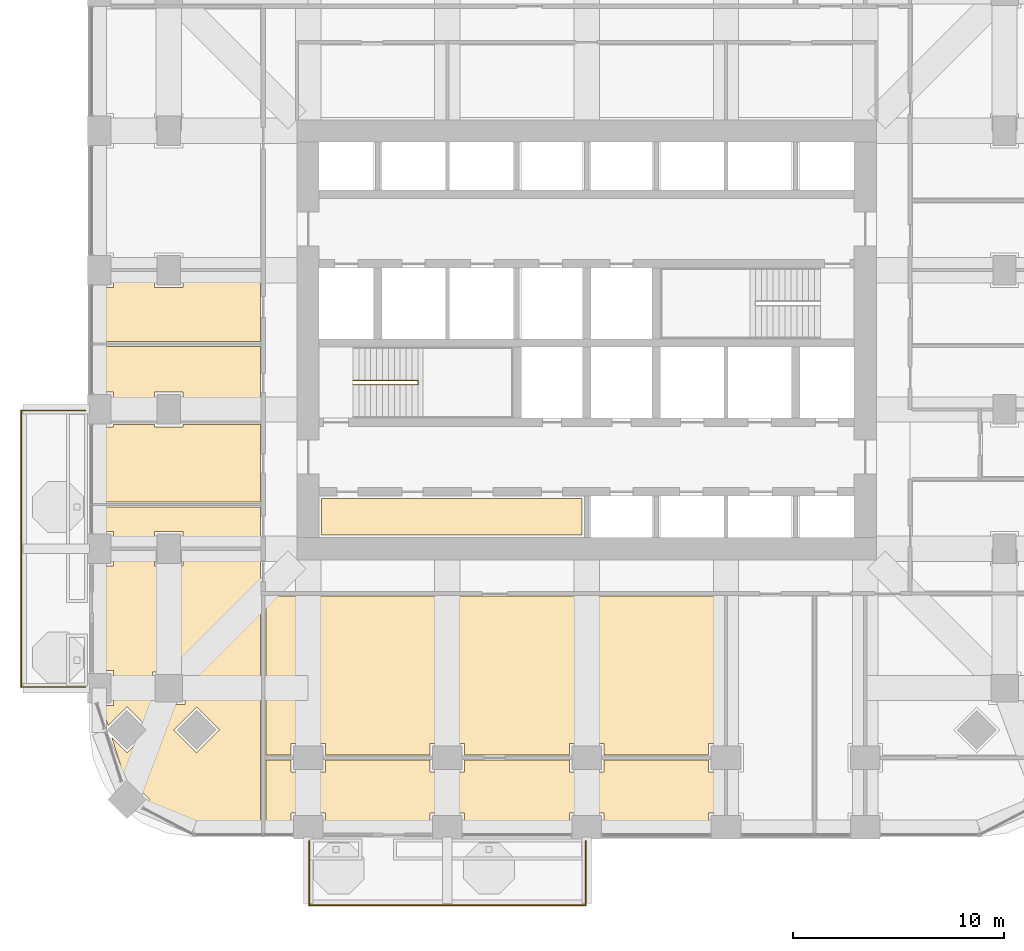
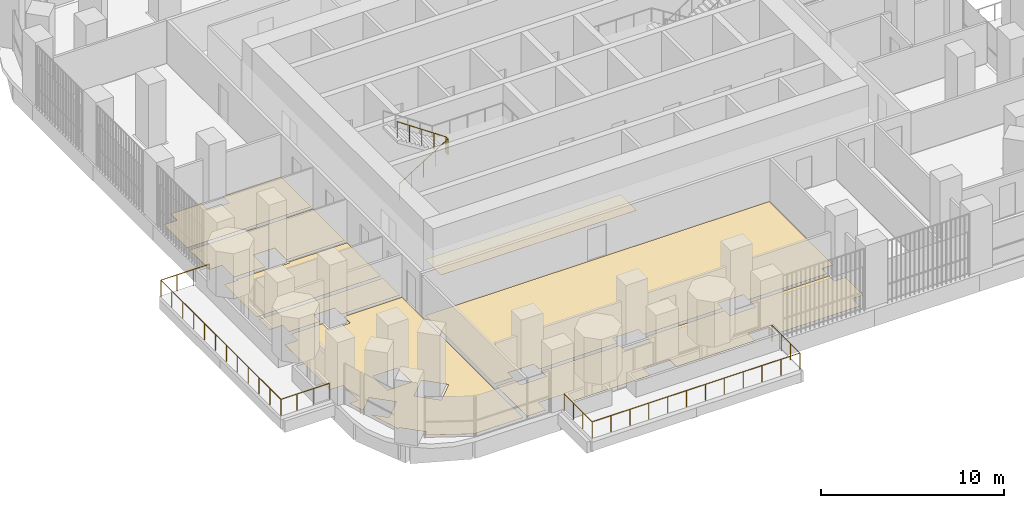
# One storey, part 17 of 21: 8 coverings, 3 railings.
"""IFC4 building model written with IfcOpenShell, lengths in metres."""

import ifcopenshell
import ifcopenshell.guid

model = None  # the IFC model being written
_history = None  # IfcOwnerHistory: only IFC2X3 demands one
_inside = {}  # id of a spatial element -> (the spatial element, [elements in it])
_under = {}  # id of a project, library or spatial element -> (it, [spatial elements below it])
_declared = {}  # id of a project -> (the project, [libraries it declares])
_typed = {}  # id of a type object -> (the type object, [elements of that type])
_made_of = {}  # id of a material, layer set ... -> (it, [elements and type objects made of it])


def new_model(schema):
    """Start an empty IFC model of exactly this schema.

    Asked for "IFC4X3", IfcOpenShell would pick the latest addendum, in which some entities
    have other attributes; the version numbers below select the first issue.
    IFC2X3 requires an IfcOwnerHistory on every rooted entity: one is made here for all.
    """
    global model, _history
    if schema == "IFC4X3":
        model = ifcopenshell.file(schema_version=(4, 3, 0, 0))
    else:
        model = ifcopenshell.file(schema=schema)
    _inside.clear()
    _under.clear()
    _declared.clear()
    _typed.clear()
    _made_of.clear()
    _history = None
    if model.schema == "IFC2X3":
        org = make("IfcOrganization", Name="unknown")
        user = make(
            "IfcPersonAndOrganization",
            ThePerson=make("IfcPerson", FamilyName="unknown"),
            TheOrganization=org,
        )
        app = make(
            "IfcApplication",
            ApplicationDeveloper=org,
            Version="unknown",
            ApplicationFullName="unknown",
            ApplicationIdentifier="unknown",
        )
        _history = make(
            "IfcOwnerHistory",
            OwningUser=user,
            OwningApplication=app,
            ChangeAction="ADDED",
            CreationDate=0,
        )
    return model


def make(cls, **values):
    """One entity of the class cls with the attributes given. An attribute that is None is left unset."""
    return model.create_entity(
        cls, **{name: value for name, value in values.items() if value is not None}
    )


def rooted(cls, **values):
    """An entity with a GlobalId (a new one), such as an element, a storey or a relation."""
    return make(cls, GlobalId=ifcopenshell.guid.new(), OwnerHistory=_history, **values)


def si_unit(unit_type, name, prefix=None):
    """IfcSIUnit, for example si_unit("LENGTHUNIT", "METRE", prefix="MILLI")."""
    return make("IfcSIUnit", UnitType=unit_type, Prefix=prefix, Name=name)


def assignment(units):
    """IfcUnitAssignment: the units of a project."""
    return None if units is None else make("IfcUnitAssignment", Units=units)


def point(xyz):
    """IfcCartesianPoint."""
    return None if xyz is None else make("IfcCartesianPoint", Coordinates=xyz)


def direction(xyz):
    """IfcDirection."""
    return None if xyz is None else make("IfcDirection", DirectionRatios=xyz)


def frame(location, z_axis=None, x_axis=None):
    """IfcAxis2Placement3D, a coordinate frame: its origin and axes. An axis left out is left unset."""
    return make(
        "IfcAxis2Placement3D",
        Location=point(location),
        Axis=direction(z_axis),
        RefDirection=direction(x_axis),
    )


def origin():
    """The frame at (0, 0, 0) with its axes left unset."""
    return frame((0.0, 0.0, 0.0))


def place(relative_to, where):
    """IfcLocalPlacement: puts the frame where relative to a parent placement (None: the world)."""
    return make(
        "IfcLocalPlacement", PlacementRelTo=relative_to, RelativePlacement=where
    )


def context(
    kind, dimensions, precision=None, world=None, true_north=None, identifier=None
):
    """IfcGeometricRepresentationContext, for example the 3D "Model" context."""
    return make(
        "IfcGeometricRepresentationContext",
        ContextIdentifier=identifier,
        ContextType=kind,
        CoordinateSpaceDimension=dimensions,
        Precision=precision,
        WorldCoordinateSystem=world,
        TrueNorth=true_north,
    )


def subcontext(parent, identifier, kind, view, scale=None):
    """IfcGeometricRepresentationSubContext, for example "Body" below "Model"."""
    return make(
        "IfcGeometricRepresentationSubContext",
        ContextIdentifier=identifier,
        ContextType=kind,
        ParentContext=parent,
        TargetScale=scale,
        TargetView=view,
    )


def project(units=None, contexts=None):
    """IfcProject with its units and contexts."""
    return rooted(
        "IfcProject",
        Name="project",
        RepresentationContexts=contexts,
        UnitsInContext=assignment(units),
    )


def spatial(cls, under=None, at=None, **own):
    """A site, building, storey or space (cls), placed at a placement, below another one or the project."""
    s = rooted(cls, ObjectPlacement=at, **own)
    if under is not None:
        _under.setdefault(under.id(), (under, []))[1].append(s)
    return s


def polyline(points):
    """IfcPolyline through the points."""
    return make("IfcPolyline", Points=[point(p) for p in points])


def outline(outer, holes=None, kind="AREA"):
    """IfcArbitraryClosedProfileDef: a profile drawn as a closed curve; with holes, ...WithVoids."""
    if holes is None:
        return make("IfcArbitraryClosedProfileDef", ProfileType=kind, OuterCurve=outer)
    return make(
        "IfcArbitraryProfileDefWithVoids",
        ProfileType=kind,
        OuterCurve=outer,
        InnerCurves=holes,
    )


def extrude(swept, where, along, depth):
    """IfcExtrudedAreaSolid: the profile swept, set in the frame where, extruded along a direction by depth."""
    return make(
        "IfcExtrudedAreaSolid",
        SweptArea=swept,
        Position=where,
        ExtrudedDirection=direction(along),
        Depth=depth,
    )


def shape(context_of_items, identifier, shape_type, items):
    """IfcShapeRepresentation: the items that make up one representation, for example the "Body"."""
    return make(
        "IfcShapeRepresentation",
        ContextOfItems=context_of_items,
        RepresentationIdentifier=identifier,
        RepresentationType=shape_type,
        Items=items,
    )


def material(Name=None, Category=None):
    """IfcMaterial."""
    return make("IfcMaterial", Name=Name, Category=Category)


def layer(
    of_material, thickness, ventilated=None, Name=None, Category=None, Priority=None
):
    """IfcMaterialLayer: one layer of a wall or slab, of a material (None: an air gap)."""
    return make(
        "IfcMaterialLayer",
        Material=of_material,
        LayerThickness=thickness,
        IsVentilated=ventilated,
        Name=Name,
        Category=Category,
        Priority=Priority,
    )


def layer_set(layers, Name=None):
    """IfcMaterialLayerSet."""
    return make("IfcMaterialLayerSet", MaterialLayers=layers, LayerSetName=Name)


def made_of(thing, what):
    """Note that an element or type object is made of a material, layer set ...; save() writes the relation."""
    if what is not None:
        _made_of.setdefault(what.id(), (what, []))[1].append(thing)
    return thing


def type_object(cls, material=None, **own):
    """A type object (cls), such as IfcWallType, which elements share."""
    return made_of(rooted(cls, **own), material)


def element(
    cls,
    number,
    at=None,
    inside=None,
    cuts=None,
    type_object=None,
    material=None,
    context=None,
    identifier="Body",
    shape_type=None,
    held_by="IfcProductDefinitionShape",
    body=None,
    shapes=None,
    **own,
):
    """One element of the class cls, such as IfcWall. Its Tag is "e" and its number.

    at: its placement. inside: the storey or other place that contains it. cuts: it is an
    opening in that element (IfcRelVoidsElement). A single representation is given by context,
    identifier, shape_type and body (its items); several are given by shapes. held_by: the class
    of the entity that holds the representations. save() writes the other relations.
    """
    e = rooted(cls, Tag="e%d" % number, ObjectPlacement=at, **own)
    if body is not None:
        shapes = [shape(context, identifier, shape_type, body)]
    if shapes is not None:
        e.Representation = make(held_by, Representations=shapes)
    if inside is not None:
        _inside.setdefault(inside.id(), (inside, []))[1].append(e)
    if cuts is not None:
        rooted(
            "IfcRelVoidsElement", RelatingBuildingElement=cuts, RelatedOpeningElement=e
        )
    if type_object is not None:
        _typed.setdefault(type_object.id(), (type_object, []))[1].append(e)
    return made_of(e, material)


def aggregate(whole, parts):
    """IfcRelAggregates: a whole, such as a stair, and the parts it consists of."""
    return rooted("IfcRelAggregates", RelatingObject=whole, RelatedObjects=parts)


def save(model, path):
    """Write the relations noted so far, then the file.

    IfcRelAggregates (storeys below a building ...), IfcRelContainedInSpatialStructure (elements
    in a storey), IfcRelDefinesByType, IfcRelAssociatesMaterial and IfcRelDeclares: one each for
    every whole, place, type object, material and project.
    """
    for whole, parts in _under.values():
        aggregate(whole, parts)
    for where, things in _inside.values():
        rooted(
            "IfcRelContainedInSpatialStructure",
            RelatedElements=things,
            RelatingStructure=where,
        )
    for kind, things in _typed.values():
        rooted("IfcRelDefinesByType", RelatedObjects=things, RelatingType=kind)
    for what, things in _made_of.values():
        rooted("IfcRelAssociatesMaterial", RelatedObjects=things, RelatingMaterial=what)
    for by, libraries in _declared.values():
        rooted("IfcRelDeclares", RelatingContext=by, RelatedDefinitions=libraries)
    model.write(path)


model = new_model("IFC4")

# Units and contexts
model_context = context("Model", 3, precision=1e-05, world=origin(), true_north=direction((0.0, 1.0)))
body_context = subcontext(model_context, "Body", "Model", "MODEL_VIEW")
ifc_project = project(units=[si_unit("LENGTHUNIT", "METRE"), si_unit("AREAUNIT", "SQUARE_METRE"), si_unit("VOLUMEUNIT", "CUBIC_METRE"), si_unit("PLANEANGLEUNIT", "RADIAN"), si_unit("MASSUNIT", "GRAM", prefix="KILO")], contexts=[model_context])

# Site, building, storey
site_placement = place(None, origin())
site = spatial("IfcSite", under=ifc_project, at=site_placement, CompositionType="ELEMENT")
building_placement = place(site_placement, origin())
building = spatial("IfcBuilding", under=site, at=building_placement, Name="Cobogo Forest Laboratory Tower", CompositionType="ELEMENT")
storey_placement = place(building_placement, frame((0.0, 0.0, 124.199951171875)))
storey = spatial("IfcBuildingStorey", under=building, at=storey_placement, Name="L28", CompositionType="ELEMENT", Elevation=124.199951171875)

# Railings
ifc_material_1 = material(Name="Laminated glass balustrade", Category="glass")
railing_type_1 = type_object("IfcRailingType", Name="BG1 glass balustrade 1100", PredefinedType="GUARDRAIL", material=ifc_material_1)
railing_1_placement = place(storey_placement, frame((13.25, -0.64990234375, 0.0)))
element("IfcRailing", 1, at=railing_1_placement, inside=storey, type_object=railing_type_1, Name="Balcony balustrade BAL-S1 L28", PredefinedType="GUARDRAIL", context=body_context, shape_type="SweptSolid", body=[
    extrude(outline(polyline([(0.022216796875, 0.00927734375), (0.00927734375, 0.022216796875), (-0.00927734375, 0.022216796875), (-0.022216796875, 0.00927734375), (-0.022216796875, -0.00927734375), (-0.00927734375, -0.022216796875), (0.00927734375, -0.022216796875), (0.022216796875, -0.00927734375), (0.022216796875, 0.00927734375)])), frame((0.0, 0.0, 1.077880859375), z_axis=(0.0, -1.0, 0.0), x_axis=(1.0, 0.0, 0.0)), (0.0, 0.0, 1.0), 3.050048828125),
    extrude(outline(polyline([(0.022216796875, 0.00927734375), (0.00927734375, 0.022216796875), (-0.00927734375, 0.022216796875), (-0.022216796875, 0.00927734375), (-0.022216796875, -0.00927734375), (-0.00927734375, -0.022216796875), (0.00927734375, -0.022216796875), (0.022216796875, -0.00927734375), (0.022216796875, 0.00927734375)])), frame((0.0, -3.050048828125, 1.077880859375), z_axis=(1.0, 0.0, 0.0), x_axis=(0.0, 1.0, 0.0)), (0.0, 0.0, 1.0), 13.10009765625),
    extrude(outline(polyline([(0.022216796875, 0.00927734375), (0.00927734375, 0.022216796875), (-0.00927734375, 0.022216796875), (-0.022216796875, 0.00927734375), (-0.022216796875, -0.00927734375), (-0.00927734375, -0.022216796875), (0.00927734375, -0.022216796875), (0.022216796875, -0.00927734375), (0.022216796875, 0.00927734375)])), frame((13.10009765625, -3.050048828125, 1.077880859375), z_axis=(0.0, 1.0, 0.0), x_axis=(-1.0, 0.0, 0.0)), (0.0, 0.0, 1.0), 3.050048828125),
    extrude(outline(polyline([(0.019287109375, 0.008056640625), (0.008056640625, 0.019287109375), (-0.008056640625, 0.019287109375), (-0.019287109375, 0.008056640625), (-0.019287109375, -0.008056640625), (-0.008056640625, -0.019287109375), (0.008056640625, -0.019287109375), (0.019287109375, -0.008056640625), (0.019287109375, 0.008056640625)])), origin(), (0.0, 0.0, 1.0), 1.077880859375),
    extrude(outline(polyline([(0.019287109375, 0.008056640625), (0.008056640625, 0.019287109375), (-0.008056640625, 0.019287109375), (-0.019287109375, 0.008056640625), (-0.019287109375, -0.008056640625), (-0.008056640625, -0.019287109375), (0.008056640625, -0.019287109375), (0.019287109375, -0.008056640625), (0.019287109375, 0.008056640625)])), frame((0.0, -1.0166015625, 0.0)), (0.0, 0.0, 1.0), 1.077880859375),
    extrude(outline(polyline([(0.019287109375, 0.008056640625), (0.008056640625, 0.019287109375), (-0.008056640625, 0.019287109375), (-0.019287109375, 0.008056640625), (-0.019287109375, -0.008056640625), (-0.008056640625, -0.019287109375), (0.008056640625, -0.019287109375), (0.019287109375, -0.008056640625), (0.019287109375, 0.008056640625)])), frame((0.0, -2.033447265625, 0.0)), (0.0, 0.0, 1.0), 1.077880859375),
    extrude(outline(polyline([(0.019287109375, 0.008056640625), (0.008056640625, 0.019287109375), (-0.008056640625, 0.019287109375), (-0.019287109375, 0.008056640625), (-0.019287109375, -0.008056640625), (-0.008056640625, -0.019287109375), (0.008056640625, -0.019287109375), (0.019287109375, -0.008056640625), (0.019287109375, 0.008056640625)])), frame((0.0, -3.050048828125, 0.0)), (0.0, 0.0, 1.0), 1.077880859375),
    extrude(outline(polyline([(0.019287109375, 0.008056640625), (0.008056640625, 0.019287109375), (-0.008056640625, 0.019287109375), (-0.019287109375, 0.008056640625), (-0.019287109375, -0.008056640625), (-0.008056640625, -0.019287109375), (0.008056640625, -0.019287109375), (0.019287109375, -0.008056640625), (0.019287109375, 0.008056640625)])), frame((1.19091796875, -3.050048828125, 0.0)), (0.0, 0.0, 1.0), 1.077880859375),
    extrude(outline(polyline([(0.019287109375, 0.008056640625), (0.008056640625, 0.019287109375), (-0.008056640625, 0.019287109375), (-0.019287109375, 0.008056640625), (-0.019287109375, -0.008056640625), (-0.008056640625, -0.019287109375), (0.008056640625, -0.019287109375), (0.019287109375, -0.008056640625), (0.019287109375, 0.008056640625)])), frame((2.3818359375, -3.050048828125, 0.0)), (0.0, 0.0, 1.0), 1.077880859375),
    extrude(outline(polyline([(0.019287109375, 0.008056640625), (0.008056640625, 0.019287109375), (-0.008056640625, 0.019287109375), (-0.019287109375, 0.008056640625), (-0.019287109375, -0.008056640625), (-0.008056640625, -0.019287109375), (0.008056640625, -0.019287109375), (0.019287109375, -0.008056640625), (0.019287109375, 0.008056640625)])), frame((3.57275390625, -3.050048828125, 0.0)), (0.0, 0.0, 1.0), 1.077880859375),
    extrude(outline(polyline([(0.019287109375, 0.008056640625), (0.008056640625, 0.019287109375), (-0.008056640625, 0.019287109375), (-0.019287109375, 0.008056640625), (-0.019287109375, -0.008056640625), (-0.008056640625, -0.019287109375), (0.008056640625, -0.019287109375), (0.019287109375, -0.008056640625), (0.019287109375, 0.008056640625)])), frame((4.763671875, -3.050048828125, 0.0)), (0.0, 0.0, 1.0), 1.077880859375),
    extrude(outline(polyline([(0.019287109375, 0.008056640625), (0.008056640625, 0.019287109375), (-0.008056640625, 0.019287109375), (-0.019287109375, 0.008056640625), (-0.019287109375, -0.008056640625), (-0.008056640625, -0.019287109375), (0.008056640625, -0.019287109375), (0.019287109375, -0.008056640625), (0.019287109375, 0.008056640625)])), frame((5.95458984375, -3.050048828125, 0.0)), (0.0, 0.0, 1.0), 1.077880859375),
    extrude(outline(polyline([(0.019287109375, 0.008056640625), (0.008056640625, 0.019287109375), (-0.008056640625, 0.019287109375), (-0.019287109375, 0.008056640625), (-0.019287109375, -0.008056640625), (-0.008056640625, -0.019287109375), (0.008056640625, -0.019287109375), (0.019287109375, -0.008056640625), (0.019287109375, 0.008056640625)])), frame((7.1455078125, -3.050048828125, 0.0)), (0.0, 0.0, 1.0), 1.077880859375),
    extrude(outline(polyline([(0.019287109375, 0.008056640625), (0.008056640625, 0.019287109375), (-0.008056640625, 0.019287109375), (-0.019287109375, 0.008056640625), (-0.019287109375, -0.008056640625), (-0.008056640625, -0.019287109375), (0.008056640625, -0.019287109375), (0.019287109375, -0.008056640625), (0.019287109375, 0.008056640625)])), frame((8.33642578125, -3.050048828125, 0.0)), (0.0, 0.0, 1.0), 1.077880859375),
    extrude(outline(polyline([(0.019287109375, 0.008056640625), (0.008056640625, 0.019287109375), (-0.008056640625, 0.019287109375), (-0.019287109375, 0.008056640625), (-0.019287109375, -0.008056640625), (-0.008056640625, -0.019287109375), (0.008056640625, -0.019287109375), (0.019287109375, -0.008056640625), (0.019287109375, 0.008056640625)])), frame((9.52734375, -3.050048828125, 0.0)), (0.0, 0.0, 1.0), 1.077880859375),
    extrude(outline(polyline([(0.019287109375, 0.008056640625), (0.008056640625, 0.019287109375), (-0.008056640625, 0.019287109375), (-0.019287109375, 0.008056640625), (-0.019287109375, -0.008056640625), (-0.008056640625, -0.019287109375), (0.008056640625, -0.019287109375), (0.019287109375, -0.008056640625), (0.019287109375, 0.008056640625)])), frame((10.71826171875, -3.050048828125, 0.0)), (0.0, 0.0, 1.0), 1.077880859375),
    extrude(outline(polyline([(0.019287109375, 0.008056640625), (0.008056640625, 0.019287109375), (-0.008056640625, 0.019287109375), (-0.019287109375, 0.008056640625), (-0.019287109375, -0.008056640625), (-0.008056640625, -0.019287109375), (0.008056640625, -0.019287109375), (0.019287109375, -0.008056640625), (0.019287109375, 0.008056640625)])), frame((11.9091796875, -3.050048828125, 0.0)), (0.0, 0.0, 1.0), 1.077880859375),
    extrude(outline(polyline([(0.019287109375, 0.008056640625), (0.008056640625, 0.019287109375), (-0.008056640625, 0.019287109375), (-0.019287109375, 0.008056640625), (-0.019287109375, -0.008056640625), (-0.008056640625, -0.019287109375), (0.008056640625, -0.019287109375), (0.019287109375, -0.008056640625), (0.019287109375, 0.008056640625)])), frame((13.10009765625, -3.050048828125, 0.0)), (0.0, 0.0, 1.0), 1.077880859375),
    extrude(outline(polyline([(0.019287109375, 0.008056640625), (0.008056640625, 0.019287109375), (-0.008056640625, 0.019287109375), (-0.019287109375, 0.008056640625), (-0.019287109375, -0.008056640625), (-0.008056640625, -0.019287109375), (0.008056640625, -0.019287109375), (0.019287109375, -0.008056640625), (0.019287109375, 0.008056640625)])), frame((13.10009765625, -2.033447265625, 0.0)), (0.0, 0.0, 1.0), 1.077880859375),
    extrude(outline(polyline([(0.019287109375, 0.008056640625), (0.008056640625, 0.019287109375), (-0.008056640625, 0.019287109375), (-0.019287109375, 0.008056640625), (-0.019287109375, -0.008056640625), (-0.008056640625, -0.019287109375), (0.008056640625, -0.019287109375), (0.019287109375, -0.008056640625), (0.019287109375, 0.008056640625)])), frame((13.10009765625, -1.0166015625, 0.0)), (0.0, 0.0, 1.0), 1.077880859375),
    extrude(outline(polyline([(0.019287109375, 0.008056640625), (0.008056640625, 0.019287109375), (-0.008056640625, 0.019287109375), (-0.019287109375, 0.008056640625), (-0.019287109375, -0.008056640625), (-0.008056640625, -0.019287109375), (0.008056640625, -0.019287109375), (0.019287109375, -0.008056640625), (0.019287109375, 0.008056640625)])), frame((13.10009765625, 0.0, 0.0)), (0.0, 0.0, 1.0), 1.077880859375),
])
railing_2_placement = place(storey_placement, frame((2.64990234375, 6.64990234375, 0.0)))
element("IfcRailing", 2, at=railing_2_placement, inside=storey, type_object=railing_type_1, Name="Balcony balustrade BAL-W1 L28", PredefinedType="GUARDRAIL", context=body_context, shape_type="SweptSolid", body=[
    extrude(outline(polyline([(0.022216796875, 0.00927734375), (0.00927734375, 0.022216796875), (-0.00927734375, 0.022216796875), (-0.022216796875, 0.00927734375), (-0.022216796875, -0.00927734375), (-0.00927734375, -0.022216796875), (0.00927734375, -0.022216796875), (0.022216796875, -0.00927734375), (0.022216796875, 0.00927734375)])), frame((0.0, 0.0, 1.077880859375), z_axis=(-1.0, 0.0, 0.0), x_axis=(0.0, -1.0, 0.0)), (0.0, 0.0, 1.0), 3.0498046875),
    extrude(outline(polyline([(0.022216796875, 0.00927734375), (0.00927734375, 0.022216796875), (-0.00927734375, 0.022216796875), (-0.022216796875, 0.00927734375), (-0.022216796875, -0.00927734375), (-0.00927734375, -0.022216796875), (0.00927734375, -0.022216796875), (0.022216796875, -0.00927734375), (0.022216796875, 0.00927734375)])), frame((-3.0498046875, 0.0, 1.077880859375), z_axis=(0.0, 1.0, 0.0), x_axis=(-1.0, 0.0, 0.0)), (0.0, 0.0, 1.0), 13.10009765625),
    extrude(outline(polyline([(0.022216796875, 0.00927734375), (0.00927734375, 0.022216796875), (-0.00927734375, 0.022216796875), (-0.022216796875, 0.00927734375), (-0.022216796875, -0.00927734375), (-0.00927734375, -0.022216796875), (0.00927734375, -0.022216796875), (0.022216796875, -0.00927734375), (0.022216796875, 0.00927734375)])), frame((-3.0498046875, 13.10009765625, 1.077880859375), z_axis=(1.0, 0.0, 0.0), x_axis=(0.0, 1.0, 0.0)), (0.0, 0.0, 1.0), 3.0498046875),
    extrude(outline(polyline([(0.019287109375, 0.008056640625), (0.008056640625, 0.019287109375), (-0.008056640625, 0.019287109375), (-0.019287109375, 0.008056640625), (-0.019287109375, -0.008056640625), (-0.008056640625, -0.019287109375), (0.008056640625, -0.019287109375), (0.019287109375, -0.008056640625), (0.019287109375, 0.008056640625)])), origin(), (0.0, 0.0, 1.0), 1.077880859375),
    extrude(outline(polyline([(0.019287109375, 0.008056640625), (0.008056640625, 0.019287109375), (-0.008056640625, 0.019287109375), (-0.019287109375, 0.008056640625), (-0.019287109375, -0.008056640625), (-0.008056640625, -0.019287109375), (0.008056640625, -0.019287109375), (0.019287109375, -0.008056640625), (0.019287109375, 0.008056640625)])), frame((-1.0166015625, 0.0, 0.0)), (0.0, 0.0, 1.0), 1.077880859375),
    extrude(outline(polyline([(0.019287109375, 0.008056640625), (0.008056640625, 0.019287109375), (-0.008056640625, 0.019287109375), (-0.019287109375, 0.008056640625), (-0.019287109375, -0.008056640625), (-0.008056640625, -0.019287109375), (0.008056640625, -0.019287109375), (0.019287109375, -0.008056640625), (0.019287109375, 0.008056640625)])), frame((-2.033203125, 0.0, 0.0)), (0.0, 0.0, 1.0), 1.077880859375),
    extrude(outline(polyline([(0.019287109375, 0.008056640625), (0.008056640625, 0.019287109375), (-0.008056640625, 0.019287109375), (-0.019287109375, 0.008056640625), (-0.019287109375, -0.008056640625), (-0.008056640625, -0.019287109375), (0.008056640625, -0.019287109375), (0.019287109375, -0.008056640625), (0.019287109375, 0.008056640625)])), frame((-3.0498046875, 0.0, 0.0)), (0.0, 0.0, 1.0), 1.077880859375),
    extrude(outline(polyline([(0.019287109375, 0.008056640625), (0.008056640625, 0.019287109375), (-0.008056640625, 0.019287109375), (-0.019287109375, 0.008056640625), (-0.019287109375, -0.008056640625), (-0.008056640625, -0.019287109375), (0.008056640625, -0.019287109375), (0.019287109375, -0.008056640625), (0.019287109375, 0.008056640625)])), frame((-3.0498046875, 1.19091796875, 0.0)), (0.0, 0.0, 1.0), 1.077880859375),
    extrude(outline(polyline([(0.019287109375, 0.008056640625), (0.008056640625, 0.019287109375), (-0.008056640625, 0.019287109375), (-0.019287109375, 0.008056640625), (-0.019287109375, -0.008056640625), (-0.008056640625, -0.019287109375), (0.008056640625, -0.019287109375), (0.019287109375, -0.008056640625), (0.019287109375, 0.008056640625)])), frame((-3.0498046875, 2.3818359375, 0.0)), (0.0, 0.0, 1.0), 1.077880859375),
    extrude(outline(polyline([(0.019287109375, 0.008056640625), (0.008056640625, 0.019287109375), (-0.008056640625, 0.019287109375), (-0.019287109375, 0.008056640625), (-0.019287109375, -0.008056640625), (-0.008056640625, -0.019287109375), (0.008056640625, -0.019287109375), (0.019287109375, -0.008056640625), (0.019287109375, 0.008056640625)])), frame((-3.0498046875, 3.57275390625, 0.0)), (0.0, 0.0, 1.0), 1.077880859375),
    extrude(outline(polyline([(0.019287109375, 0.008056640625), (0.008056640625, 0.019287109375), (-0.008056640625, 0.019287109375), (-0.019287109375, 0.008056640625), (-0.019287109375, -0.008056640625), (-0.008056640625, -0.019287109375), (0.008056640625, -0.019287109375), (0.019287109375, -0.008056640625), (0.019287109375, 0.008056640625)])), frame((-3.0498046875, 4.763671875, 0.0)), (0.0, 0.0, 1.0), 1.077880859375),
    extrude(outline(polyline([(0.019287109375, 0.008056640625), (0.008056640625, 0.019287109375), (-0.008056640625, 0.019287109375), (-0.019287109375, 0.008056640625), (-0.019287109375, -0.008056640625), (-0.008056640625, -0.019287109375), (0.008056640625, -0.019287109375), (0.019287109375, -0.008056640625), (0.019287109375, 0.008056640625)])), frame((-3.0498046875, 5.95458984375, 0.0)), (0.0, 0.0, 1.0), 1.077880859375),
    extrude(outline(polyline([(0.019287109375, 0.008056640625), (0.008056640625, 0.019287109375), (-0.008056640625, 0.019287109375), (-0.019287109375, 0.008056640625), (-0.019287109375, -0.008056640625), (-0.008056640625, -0.019287109375), (0.008056640625, -0.019287109375), (0.019287109375, -0.008056640625), (0.019287109375, 0.008056640625)])), frame((-3.0498046875, 7.1455078125, 0.0)), (0.0, 0.0, 1.0), 1.077880859375),
    extrude(outline(polyline([(0.019287109375, 0.008056640625), (0.008056640625, 0.019287109375), (-0.008056640625, 0.019287109375), (-0.019287109375, 0.008056640625), (-0.019287109375, -0.008056640625), (-0.008056640625, -0.019287109375), (0.008056640625, -0.019287109375), (0.019287109375, -0.008056640625), (0.019287109375, 0.008056640625)])), frame((-3.0498046875, 8.33642578125, 0.0)), (0.0, 0.0, 1.0), 1.077880859375),
    extrude(outline(polyline([(0.019287109375, 0.008056640625), (0.008056640625, 0.019287109375), (-0.008056640625, 0.019287109375), (-0.019287109375, 0.008056640625), (-0.019287109375, -0.008056640625), (-0.008056640625, -0.019287109375), (0.008056640625, -0.019287109375), (0.019287109375, -0.008056640625), (0.019287109375, 0.008056640625)])), frame((-3.0498046875, 9.52734375, 0.0)), (0.0, 0.0, 1.0), 1.077880859375),
    extrude(outline(polyline([(0.019287109375, 0.008056640625), (0.008056640625, 0.019287109375), (-0.008056640625, 0.019287109375), (-0.019287109375, 0.008056640625), (-0.019287109375, -0.008056640625), (-0.008056640625, -0.019287109375), (0.008056640625, -0.019287109375), (0.019287109375, -0.008056640625), (0.019287109375, 0.008056640625)])), frame((-3.0498046875, 10.71826171875, 0.0)), (0.0, 0.0, 1.0), 1.077880859375),
    extrude(outline(polyline([(0.019287109375, 0.008056640625), (0.008056640625, 0.019287109375), (-0.008056640625, 0.019287109375), (-0.019287109375, 0.008056640625), (-0.019287109375, -0.008056640625), (-0.008056640625, -0.019287109375), (0.008056640625, -0.019287109375), (0.019287109375, -0.008056640625), (0.019287109375, 0.008056640625)])), frame((-3.0498046875, 11.9091796875, 0.0)), (0.0, 0.0, 1.0), 1.077880859375),
    extrude(outline(polyline([(0.019287109375, 0.008056640625), (0.008056640625, 0.019287109375), (-0.008056640625, 0.019287109375), (-0.019287109375, 0.008056640625), (-0.019287109375, -0.008056640625), (-0.008056640625, -0.019287109375), (0.008056640625, -0.019287109375), (0.019287109375, -0.008056640625), (0.019287109375, 0.008056640625)])), frame((-3.0498046875, 13.10009765625, 0.0)), (0.0, 0.0, 1.0), 1.077880859375),
    extrude(outline(polyline([(0.019287109375, 0.008056640625), (0.008056640625, 0.019287109375), (-0.008056640625, 0.019287109375), (-0.019287109375, 0.008056640625), (-0.019287109375, -0.008056640625), (-0.008056640625, -0.019287109375), (0.008056640625, -0.019287109375), (0.019287109375, -0.008056640625), (0.019287109375, 0.008056640625)])), frame((-2.033203125, 13.10009765625, 0.0)), (0.0, 0.0, 1.0), 1.077880859375),
    extrude(outline(polyline([(0.019287109375, 0.008056640625), (0.008056640625, 0.019287109375), (-0.008056640625, 0.019287109375), (-0.019287109375, 0.008056640625), (-0.019287109375, -0.008056640625), (-0.008056640625, -0.019287109375), (0.008056640625, -0.019287109375), (0.019287109375, -0.008056640625), (0.019287109375, 0.008056640625)])), frame((-1.0166015625, 13.10009765625, 0.0)), (0.0, 0.0, 1.0), 1.077880859375),
    extrude(outline(polyline([(0.019287109375, 0.008056640625), (0.008056640625, 0.019287109375), (-0.008056640625, 0.019287109375), (-0.019287109375, 0.008056640625), (-0.019287109375, -0.008056640625), (-0.008056640625, -0.019287109375), (0.008056640625, -0.019287109375), (0.019287109375, -0.008056640625), (0.019287109375, 0.008056640625)])), frame((0.0, 13.10009765625, 0.0)), (0.0, 0.0, 1.0), 1.077880859375),
])

# Coverings
ifc_material_2 = material(Name="Carpet tile on raised access floor", Category="flooring")
ifc_layer_1 = layer(ifc_material_2, 0.008056640625)
ifc_layer_set_1 = layer_set([ifc_layer_1], Name="CT1 carpet tile floor 8")
covering_type_1 = type_object("IfcCoveringType", Name="CT1 carpet tile floor 8", PredefinedType="FLOORING", material=ifc_layer_set_1)
covering_1_placement = place(storey_placement, origin())
element("IfcCovering", 3, at=covering_1_placement, inside=storey, type_object=covering_type_1, Name="Carpet floor L28-05", PredefinedType="FLOORING", context=body_context, shape_type="SweptSolid", body=[
    extrude(outline(polyline([(12.3798828125, 3.179931640625), (12.3798828125, 2.6298828125), (14.02001953125, 2.6298828125), (14.02001953125, 3.179931640625), (18.97998046875, 3.179931640625), (18.97998046875, 2.6298828125), (20.6201171875, 2.6298828125), (20.6201171875, 3.179931640625), (25.580078125, 3.179931640625), (25.580078125, 2.6298828125), (27.219970703125, 2.6298828125), (27.219970703125, 3.179931640625), (32.179931640625, 3.179931640625), (32.179931640625, 2.6298828125), (32.8798828125, 2.6298828125), (32.8798828125, 0.669921875), (32.179931640625, 0.669921875), (32.179931640625, -0.14990234375), (27.219970703125, -0.14990234375), (27.219970703125, 0.669921875), (25.580078125, 0.669921875), (25.580078125, -0.14990234375), (20.6201171875, -0.14990234375), (20.6201171875, 0.669921875), (18.97998046875, 0.669921875), (18.97998046875, -0.14990234375), (14.02001953125, -0.14990234375), (14.02001953125, 0.669921875), (12.3798828125, 0.669921875), (12.3798828125, -0.14990234375), (11.195068359375, -0.14990234375), (11.195068359375, 3.179931640625), (12.3798828125, 3.179931640625)])), origin(), (0.0, 0.0, 1.0), 0.008056640625),
])
covering_2_placement = place(storey_placement, origin())
element("IfcCovering", 4, at=covering_2_placement, inside=storey, type_object=covering_type_1, Name="Carpet floor L28-19", PredefinedType="FLOORING", context=body_context, shape_type="SweptSolid", body=[
    extrude(outline(polyline([(3.904052734375, 4.2431640625), (4.617919921875, 3.529052734375), (5.70703125, 4.617919921875), (4.617919921875, 5.70703125), (3.72412109375, 4.81298828125), (3.418701171875, 5.780029296875), (3.969970703125, 5.780029296875), (3.969970703125, 7.419921875), (3.14990234375, 7.419921875), (3.14990234375, 12.3798828125), (3.969970703125, 12.3798828125), (3.969970703125, 13.080078125), (5.929931640625, 13.080078125), (5.929931640625, 12.3798828125), (7.27001953125, 12.3798828125), (7.27001953125, 13.080078125), (10.955078125, 13.080078125), (10.955078125, -0.14990234375), (7.84912109375, -0.14990234375), (5.480712890625, 1.091552734375), (5.70703125, 1.318115234375), (4.617919921875, 2.406982421875), (4.51611328125, 2.304931640625), (3.904052734375, 4.2431640625)]), holes=[polyline([(6.8291015625, 4.617919921875), (7.91796875, 3.529052734375), (9.007080078125, 4.617919921875), (7.91796875, 5.70703125), (6.8291015625, 4.617919921875)]), polyline([(5.830078125, 7.3701171875), (5.830078125, 5.830078125), (7.3701171875, 5.830078125), (7.3701171875, 7.3701171875), (5.830078125, 7.3701171875)])]), origin(), (0.0, 0.0, 1.0), 0.008056640625),
])
covering_3_placement = place(storey_placement, origin())
element("IfcCovering", 5, at=covering_3_placement, inside=storey, type_object=covering_type_1, Name="Carpet floor L28-32", PredefinedType="FLOORING", context=body_context, shape_type="SweptSolid", body=[
    extrude(outline(polyline([(26.179931640625, 13.844970703125), (13.844970703125, 13.844970703125), (13.844970703125, 15.580078125), (26.179931640625, 15.580078125), (26.179931640625, 13.844970703125)])), origin(), (0.0, 0.0, 1.0), 0.008056640625),
])

# Railing
ifc_material_3 = material(Name="Steel balustrade", Category="steel")
railing_type_2 = type_object("IfcRailingType", Name="GR stair guard 1100", PredefinedType="GUARDRAIL", material=ifc_material_3)
railing_3_placement = place(storey_placement, frame((15.324951171875, 20.969970703125, 0.175048828125)))
element("IfcRailing", 6, at=railing_3_placement, inside=storey, type_object=railing_type_2, Name="Stair guard ST1 L28", PredefinedType="GUARDRAIL", context=body_context, shape_type="SweptSolid", body=[
    extrude(outline(polyline([(0.022216796875, 0.00927734375), (0.00927734375, 0.022216796875), (-0.00927734375, 0.022216796875), (-0.022216796875, 0.00927734375), (-0.022216796875, -0.00927734375), (-0.00927734375, -0.022216796875), (0.00927734375, -0.022216796875), (0.022216796875, -0.00927734375), (0.022216796875, 0.00927734375)])), frame((0.0, 0.0, 1.077880859375), z_axis=(0.847998304005, 0.0, 0.529998940003), x_axis=(0.0, 1.0, 0.0)), (0.0, 0.0, 1.0), 3.632080078125),
    extrude(outline(polyline([(0.022216796875, 0.00927734375), (0.00927734375, 0.022216796875), (-0.00927734375, 0.022216796875), (-0.022216796875, 0.00927734375), (-0.022216796875, -0.00927734375), (-0.00927734375, -0.022216796875), (0.00927734375, -0.022216796875), (0.022216796875, -0.00927734375), (0.022216796875, 0.00927734375)])), frame((3.080078125, 0.0, 3.0029296875), z_axis=(0.0, 1.0, 0.0), x_axis=(-1.0, 0.0, 0.0)), (0.0, 0.0, 1.0), 0.2099609375),
    extrude(outline(polyline([(0.022216796875, 0.00927734375), (0.00927734375, 0.022216796875), (-0.00927734375, 0.022216796875), (-0.022216796875, 0.00927734375), (-0.022216796875, -0.00927734375), (-0.00927734375, -0.022216796875), (0.00927734375, -0.022216796875), (0.022216796875, -0.00927734375), (0.022216796875, 0.00927734375)])), frame((3.080078125, 0.2099609375, 3.0029296875), z_axis=(-0.826252282691, 0.0, 0.563300244406), x_axis=(0.0, -1.0, 0.0)), (0.0, 0.0, 1.0), 3.727783203125),
    extrude(outline(polyline([(0.019287109375, 0.008056640625), (0.008056640625, 0.019287109375), (-0.008056640625, 0.019287109375), (-0.019287109375, 0.008056640625), (-0.019287109375, -0.008056640625), (-0.008056640625, -0.019287109375), (0.008056640625, -0.019287109375), (0.019287109375, -0.008056640625), (0.019287109375, 0.008056640625)])), origin(), (0.0, 0.0, 1.0), 1.077880859375),
    extrude(outline(polyline([(0.019287109375, 0.008056640625), (0.008056640625, 0.019287109375), (-0.008056640625, 0.019287109375), (-0.019287109375, 0.008056640625), (-0.019287109375, -0.008056640625), (-0.008056640625, -0.019287109375), (0.008056640625, -0.019287109375), (0.019287109375, -0.008056640625), (0.019287109375, 0.008056640625)])), frame((0.77001953125, 0.0, 0.481201171875)), (0.0, 0.0, 1.0), 1.077880859375),
    extrude(outline(polyline([(0.019287109375, 0.008056640625), (0.008056640625, 0.019287109375), (-0.008056640625, 0.019287109375), (-0.019287109375, 0.008056640625), (-0.019287109375, -0.008056640625), (-0.008056640625, -0.019287109375), (0.008056640625, -0.019287109375), (0.019287109375, -0.008056640625), (0.019287109375, 0.008056640625)])), frame((1.5400390625, 0.0, 0.96240234375)), (0.0, 0.0, 1.0), 1.077880859375),
    extrude(outline(polyline([(0.019287109375, 0.008056640625), (0.008056640625, 0.019287109375), (-0.008056640625, 0.019287109375), (-0.019287109375, 0.008056640625), (-0.019287109375, -0.008056640625), (-0.008056640625, -0.019287109375), (0.008056640625, -0.019287109375), (0.019287109375, -0.008056640625), (0.019287109375, 0.008056640625)])), frame((2.31005859375, 0.0, 1.44384765625)), (0.0, 0.0, 1.0), 1.077880859375),
    extrude(outline(polyline([(0.019287109375, 0.008056640625), (0.008056640625, 0.019287109375), (-0.008056640625, 0.019287109375), (-0.019287109375, 0.008056640625), (-0.019287109375, -0.008056640625), (-0.008056640625, -0.019287109375), (0.008056640625, -0.019287109375), (0.019287109375, -0.008056640625), (0.019287109375, 0.008056640625)])), frame((3.080078125, 0.0, 1.925048828125)), (0.0, 0.0, 1.0), 1.077880859375),
    extrude(outline(polyline([(0.019287109375, 0.008056640625), (0.008056640625, 0.019287109375), (-0.008056640625, 0.019287109375), (-0.019287109375, 0.008056640625), (-0.019287109375, -0.008056640625), (-0.008056640625, -0.019287109375), (0.008056640625, -0.019287109375), (0.019287109375, -0.008056640625), (0.019287109375, 0.008056640625)])), frame((3.080078125, 0.2099609375, 1.925048828125)), (0.0, 0.0, 1.0), 1.077880859375),
    extrude(outline(polyline([(0.019287109375, 0.008056640625), (0.008056640625, 0.019287109375), (-0.008056640625, 0.019287109375), (-0.019287109375, 0.008056640625), (-0.019287109375, -0.008056640625), (-0.008056640625, -0.019287109375), (0.008056640625, -0.019287109375), (0.019287109375, -0.008056640625), (0.019287109375, 0.008056640625)])), frame((2.31005859375, 0.2099609375, 2.449951171875)), (0.0, 0.0, 1.0), 1.077880859375),
    extrude(outline(polyline([(0.019287109375, 0.008056640625), (0.008056640625, 0.019287109375), (-0.008056640625, 0.019287109375), (-0.019287109375, 0.008056640625), (-0.019287109375, -0.008056640625), (-0.008056640625, -0.019287109375), (0.008056640625, -0.019287109375), (0.019287109375, -0.008056640625), (0.019287109375, 0.008056640625)])), frame((1.5400390625, 0.2099609375, 2.97509765625)), (0.0, 0.0, 1.0), 1.077880859375),
    extrude(outline(polyline([(0.019287109375, 0.008056640625), (0.008056640625, 0.019287109375), (-0.008056640625, 0.019287109375), (-0.019287109375, 0.008056640625), (-0.019287109375, -0.008056640625), (-0.008056640625, -0.019287109375), (0.008056640625, -0.019287109375), (0.019287109375, -0.008056640625), (0.019287109375, 0.008056640625)])), frame((0.77001953125, 0.2099609375, 3.5)), (0.0, 0.0, 1.0), 1.077880859375),
    extrude(outline(polyline([(0.019287109375, 0.008056640625), (0.008056640625, 0.019287109375), (-0.008056640625, 0.019287109375), (-0.019287109375, 0.008056640625), (-0.019287109375, -0.008056640625), (-0.008056640625, -0.019287109375), (0.008056640625, -0.019287109375), (0.019287109375, -0.008056640625), (0.019287109375, 0.008056640625)])), frame((0.0, 0.2099609375, 4.02490234375)), (0.0, 0.0, 1.0), 1.077880859375),
])

# Coverings
ifc_material_4 = material(Name="Epoxy resin flooring", Category="flooring")
ifc_layer_2 = layer(ifc_material_4, 0.00390625)
ifc_layer_set_2 = layer_set([ifc_layer_2], Name="LF1 epoxy laboratory floor 4")
covering_type_2 = type_object("IfcCoveringType", Name="LF1 epoxy laboratory floor 4", PredefinedType="FLOORING", material=ifc_layer_set_2)
covering_4_placement = place(storey_placement, origin())
element("IfcCovering", 7, at=covering_4_placement, inside=storey, type_object=covering_type_2, Name="Epoxy laboratory floor L28-04", PredefinedType="FLOORING", context=body_context, shape_type="SweptSolid", body=[
    extrude(outline(polyline([(11.195068359375, 10.955078125), (32.8798828125, 10.955078125), (32.8798828125, 3.969970703125), (32.179931640625, 3.969970703125), (32.179931640625, 3.419921875), (27.219970703125, 3.419921875), (27.219970703125, 3.969970703125), (25.580078125, 3.969970703125), (25.580078125, 3.419921875), (20.6201171875, 3.419921875), (20.6201171875, 3.969970703125), (18.97998046875, 3.969970703125), (18.97998046875, 3.419921875), (14.02001953125, 3.419921875), (14.02001953125, 3.969970703125), (12.3798828125, 3.969970703125), (12.3798828125, 3.419921875), (11.195068359375, 3.419921875), (11.195068359375, 10.955078125)])), origin(), (0.0, 0.0, 1.0), 0.004150390625),
])
ifc_material_5 = material(Name="Ceramic floor tile", Category="flooring")
ifc_layer_3 = layer(ifc_material_5, 0.010009765625)
ifc_layer_set_3 = layer_set([ifc_layer_3], Name="TF1 ceramic tile floor 10")
covering_type_3 = type_object("IfcCoveringType", Name="TF1 ceramic tile floor 10", PredefinedType="FLOORING", material=ifc_layer_set_3)
covering_5_placement = place(storey_placement, origin())
element("IfcCovering", 8, at=covering_5_placement, inside=storey, type_object=covering_type_3, Name="Tile floor L28-20", PredefinedType="FLOORING", context=body_context, shape_type="SweptSolid", body=[
    extrude(outline(polyline([(10.955078125, 13.320068359375), (7.27001953125, 13.320068359375), (7.27001953125, 14.02001953125), (5.929931640625, 14.02001953125), (5.929931640625, 13.320068359375), (3.969970703125, 13.320068359375), (3.969970703125, 14.02001953125), (3.14990234375, 14.02001953125), (3.14990234375, 15.179931640625), (10.955078125, 15.179931640625), (10.955078125, 13.320068359375)])), origin(), (0.0, 0.0, 1.0), 0.010009765625),
])
covering_6_placement = place(storey_placement, origin())
element("IfcCovering", 9, at=covering_6_placement, inside=storey, type_object=covering_type_3, Name="Tile floor L28-21", PredefinedType="FLOORING", context=body_context, shape_type="SweptSolid", body=[
    extrude(outline(polyline([(3.969970703125, 19.080078125), (5.929931640625, 19.080078125), (5.929931640625, 18.97998046875), (7.27001953125, 18.97998046875), (7.27001953125, 19.080078125), (10.955078125, 19.080078125), (10.955078125, 15.419921875), (3.14990234375, 15.419921875), (3.14990234375, 18.97998046875), (3.969970703125, 18.97998046875), (3.969970703125, 19.080078125)])), origin(), (0.0, 0.0, 1.0), 0.010009765625),
])
covering_7_placement = place(storey_placement, origin())
element("IfcCovering", 10, at=covering_7_placement, inside=storey, type_object=covering_type_3, Name="Tile floor L28-22", PredefinedType="FLOORING", context=body_context, shape_type="SweptSolid", body=[
    extrude(outline(polyline([(10.955078125, 19.320068359375), (7.27001953125, 19.320068359375), (7.27001953125, 20.6201171875), (5.929931640625, 20.6201171875), (5.929931640625, 19.320068359375), (3.969970703125, 19.320068359375), (3.969970703125, 20.6201171875), (3.14990234375, 20.6201171875), (3.14990234375, 22.780029296875), (10.955078125, 22.780029296875), (10.955078125, 19.320068359375)])), origin(), (0.0, 0.0, 1.0), 0.010009765625),
])
covering_8_placement = place(storey_placement, origin())
element("IfcCovering", 11, at=covering_8_placement, inside=storey, type_object=covering_type_3, Name="Tile floor L28-23", PredefinedType="FLOORING", context=body_context, shape_type="SweptSolid", body=[
    extrude(outline(polyline([(10.955078125, 23.02001953125), (3.14990234375, 23.02001953125), (3.14990234375, 25.580078125), (3.969970703125, 25.580078125), (3.969970703125, 26.280029296875), (5.929931640625, 26.280029296875), (5.929931640625, 25.580078125), (7.27001953125, 25.580078125), (7.27001953125, 26.280029296875), (10.955078125, 26.280029296875), (10.955078125, 23.02001953125)])), origin(), (0.0, 0.0, 1.0), 0.010009765625),
])

save(model, "model.ifc")
